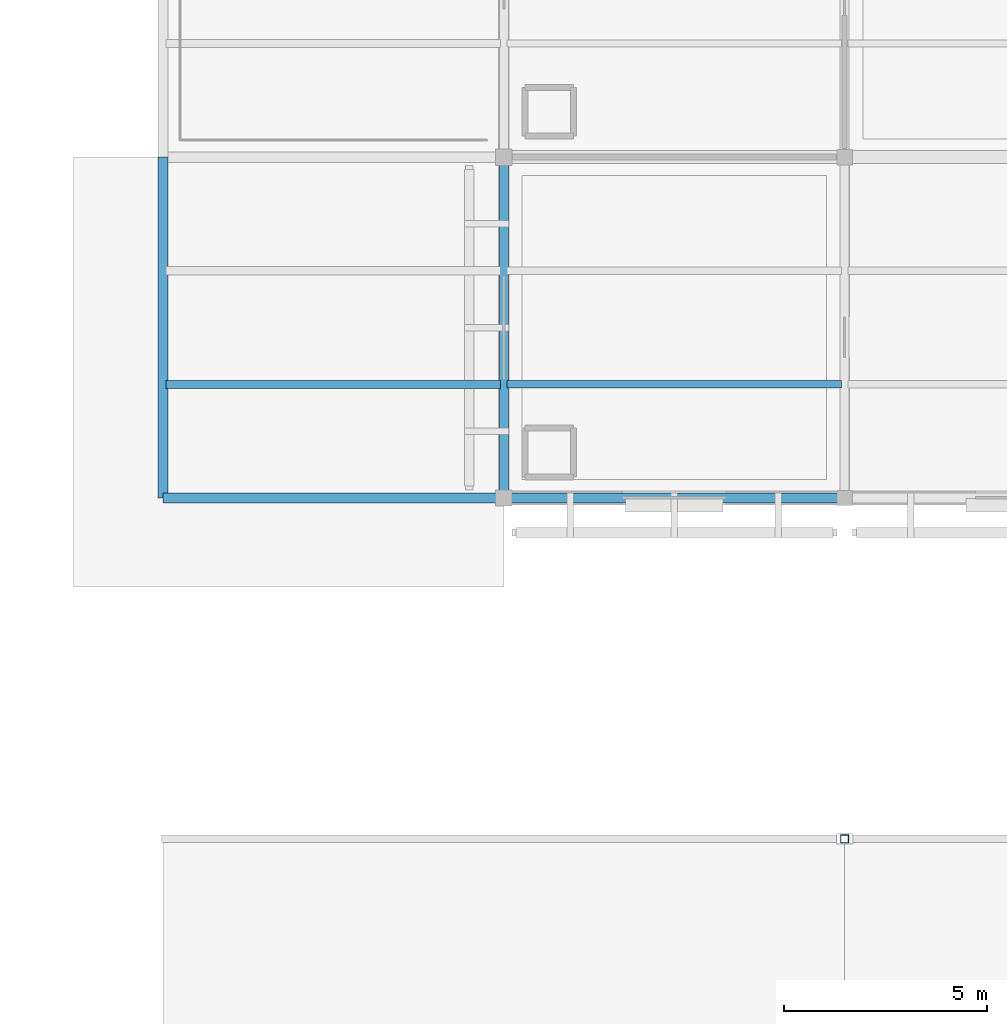
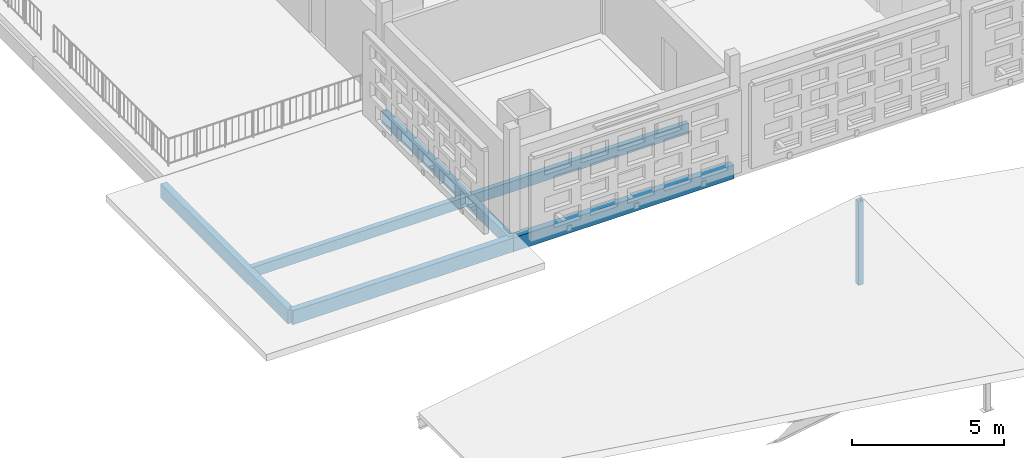
# One storey, part 67 of 140: 6 beams, 1 member.
"""IFC4 building model written with IfcOpenShell, lengths in metres."""

from ifc_helpers import new_model, si_unit, direction, frame, origin, origin_2d, place, context, subcontext, project, spatial, rectangle, hollow_rectangle, extrude, material, material_profile, profile_set, type_object, element, save


model = new_model("IFC4")

# Units and contexts
model_context = context("Model", 3, precision=1e-05, world=origin(), true_north=direction((0.0, 1.0)))
body_context = subcontext(model_context, "Body", "Model", "MODEL_VIEW")
ifc_project = project(units=[si_unit("LENGTHUNIT", "METRE"), si_unit("AREAUNIT", "SQUARE_METRE"), si_unit("VOLUMEUNIT", "CUBIC_METRE"), si_unit("PLANEANGLEUNIT", "RADIAN"), si_unit("MASSUNIT", "GRAM", prefix="KILO")], contexts=[model_context])

# Site, building, storey
site_placement = place(None, origin())
site = spatial("IfcSite", under=ifc_project, at=site_placement, CompositionType="ELEMENT")
building_placement = place(site_placement, origin())
building = spatial("IfcBuilding", under=site, at=building_placement, Name="Varnapada Polytechnic", CompositionType="ELEMENT")
storey_placement = place(building_placement, frame((0.0, 0.0, 13.800048828125)))
storey = spatial("IfcBuildingStorey", under=building, at=storey_placement, Name="L03", CompositionType="ELEMENT", Elevation=13.800048828125)

# Beams
ifc_material_1 = material(Name="Glulam GL32h", Category="wood")
ifc_material_profile_1 = material_profile(ifc_material_1, rectangle(XDim=0.199951171875, YDim=0.39990234375, at=origin_2d()), Name="GL 200x400")
ifc_profile_set_1 = profile_set([ifc_material_profile_1], Name="Glulam GL32h")
beam_type_1 = type_object("IfcBeamType", Name="Library/laboratory glulam floor joist GJ-01 (GL 200x400)", PredefinedType="JOIST", material=ifc_profile_set_1)
beam_1_placement = place(storey_placement, frame((134.47998046875, 61.60009765625, -0.469970703125), z_axis=(1.0, 0.0, 0.0), x_axis=(0.0, 1.0, 0.0)))
element("IfcBeam", 1, at=beam_1_placement, inside=storey, type_object=beam_type_1, Name="L03 floor joist 17/8.1", PredefinedType="JOIST", context=body_context, shape_type="SweptSolid", body=[
    extrude(rectangle(XDim=0.199951171875, YDim=0.39990234375, at=origin_2d()), origin(), (0.0, 0.0, 1.0), 8.239990234375),
])
ifc_material_profile_2 = material_profile(ifc_material_1, rectangle(XDim=0.239990234375, YDim=0.56005859375, at=origin_2d()), Name="GL 240x560")
ifc_profile_set_2 = profile_set([ifc_material_profile_2], Name="Glulam GL32h")
beam_type_2 = type_object("IfcBeamType", Name="Perimeter glulam spandrel beam SP-02 (GL 240x560)", PredefinedType="SPANDREL", material=ifc_profile_set_2)
beam_2_placement = place(storey_placement, frame((134.39990234375, 58.800048828125, -0.550048828125), z_axis=(1.0, 0.0, 0.0), x_axis=(0.0, 1.0, 0.0)))
element("IfcBeam", 2, at=beam_2_placement, inside=storey, type_object=beam_type_2, Name="L03 beam X 17-18 at Y8", PredefinedType="SPANDREL", context=body_context, shape_type="SweptSolid", body=[
    extrude(rectangle(XDim=0.239990234375, YDim=0.56005859375, at=origin_2d()), origin(), (0.0, 0.0, 1.0), 8.400146484375),
])
for number, where, z_axis, x_axis, name in (
    (3, (142.800048828125, 58.800048828125, -0.550048828125), (1.0, 0.0, 0.0), (0.0, 1.0, 0.0), "L03 beam X 18-19 at Y8"),
    (4, (134.39990234375, 58.800048828125, -0.550048828125), (0.0, 1.0, 0.0), (-1.0, 0.0, 0.0), "L03 beam Y 8-9 at X17"),
):
    element("IfcBeam", number, at=place(storey_placement, frame(where, z_axis=z_axis, x_axis=x_axis)), inside=storey, type_object=beam_type_2, Name=name, PredefinedType="SPANDREL", context=body_context, shape_type="SweptSolid", body=[
        extrude(rectangle(XDim=0.239990234375, YDim=0.56005859375, at=origin_2d()), origin(), (0.0, 0.0, 1.0), 8.39990234375),
    ])
ifc_material_profile_3 = material_profile(ifc_material_1, rectangle(XDim=0.179931640625, YDim=0.419921875, at=origin_2d()), Name="GL 180x420")
ifc_profile_set_3 = profile_set([ifc_material_profile_3], Name="Glulam GL32h")
beam_type_3 = type_object("IfcBeamType", Name="Reading hall glulam joist GJ-04 (GL 180x420)", PredefinedType="JOIST", material=ifc_profile_set_3)
beam_3_placement = place(storey_placement, frame((142.8798828125, 61.60009765625, -0.47998046875), z_axis=(1.0, 0.0, 0.0), x_axis=(0.0, 1.0, 0.0)))
element("IfcBeam", 5, at=beam_3_placement, inside=storey, type_object=beam_type_3, Name="L03 floor joist 18/8.1", PredefinedType="JOIST", context=body_context, shape_type="SweptSolid", body=[
    extrude(rectangle(XDim=0.179931640625, YDim=0.419921875, at=origin_2d()), origin(), (0.0, 0.0, 1.0), 8.240234375),
])

# Member
ifc_material_2 = material(Name="Steel S355", Category="steel")
ifc_material_profile_4 = material_profile(ifc_material_2, hollow_rectangle(XDim=0.199951171875, YDim=0.199951171875, WallThickness=0.008056640625, InnerFilletRadius=0.008056640625, OuterFilletRadius=0.01611328125, at=origin_2d()), Name="SHS 200x200x8")
ifc_profile_set_4 = profile_set([ifc_material_profile_4], Name="Steel S355")
member_type = type_object("IfcMemberType", Name="Roof clerestory king post SFP-01 (SHS 200x200x8)", PredefinedType="POST", material=ifc_profile_set_4)
member_placement = place(storey_placement, frame((151.199951171875, 50.39990234375, -0.02001953125), z_axis=(0.0, 0.0, 1.0), x_axis=(1.0, 0.0, 0.0)))
element("IfcMember", 6, at=member_placement, inside=storey, type_object=member_type, Name="Refectory pavilion ridge post Y7", PredefinedType="POST", context=body_context, shape_type="SweptSolid", body=[
    extrude(hollow_rectangle(XDim=0.199951171875, YDim=0.199951171875, WallThickness=0.008056640625, InnerFilletRadius=0.008056640625, OuterFilletRadius=0.01611328125, at=origin_2d()), origin(), (0.0, 0.0, 1.0), 3.369873046875),
])

# Beam
ifc_material_profile_5 = material_profile(ifc_material_1, rectangle(XDim=0.219970703125, YDim=0.47998046875, at=origin_2d()), Name="GL 220x480")
ifc_profile_set_5 = profile_set([ifc_material_profile_5], Name="Glulam GL32h")
beam_type_4 = type_object("IfcBeamType", Name="Upper floor glulam tie beam GB-11 (GL 220x480)", PredefinedType="BEAM", material=ifc_profile_set_5)
beam_4_placement = place(storey_placement, frame((142.800048828125, 58.800048828125, -0.510009765625), z_axis=(0.0, 1.0, 0.0), x_axis=(-1.0, 0.0, 0.0)))
element("IfcBeam", 7, at=beam_4_placement, inside=storey, type_object=beam_type_4, Name="L03 beam Y 8-9 at X18", PredefinedType="BEAM", context=body_context, shape_type="SweptSolid", body=[
    extrude(rectangle(XDim=0.219970703125, YDim=0.47998046875, at=origin_2d()), origin(), (0.0, 0.0, 1.0), 8.39990234375),
])

save(model, "model.ifc")
